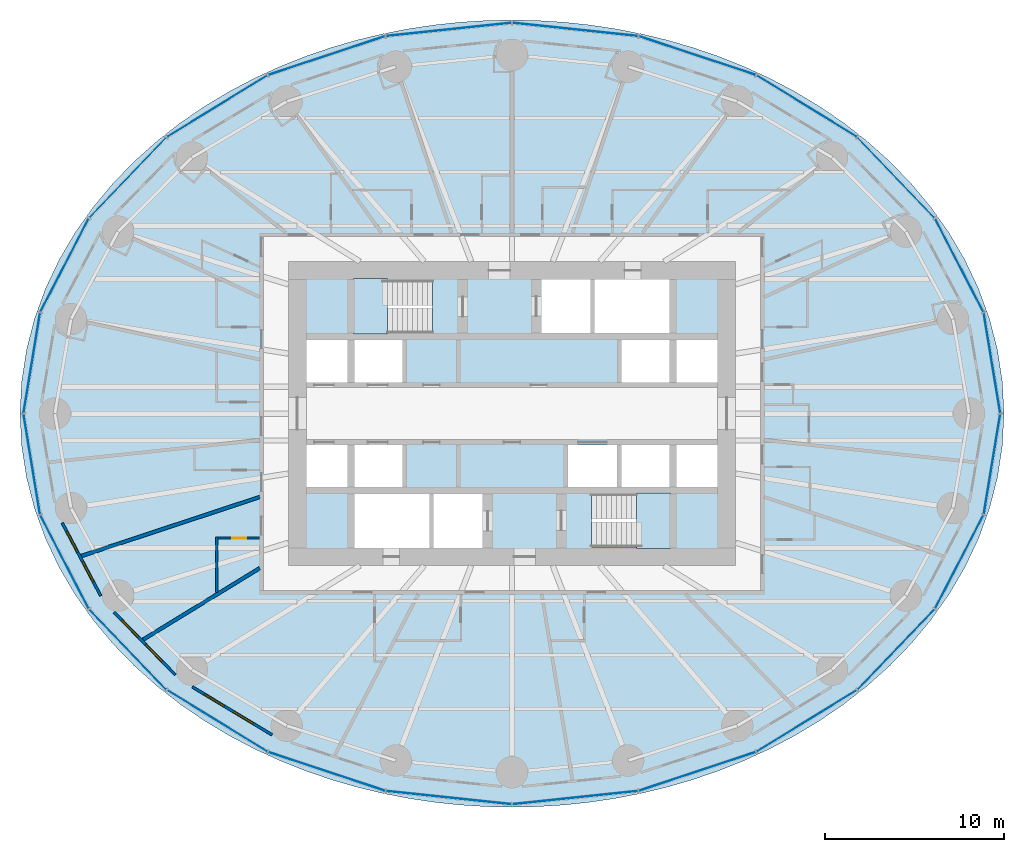
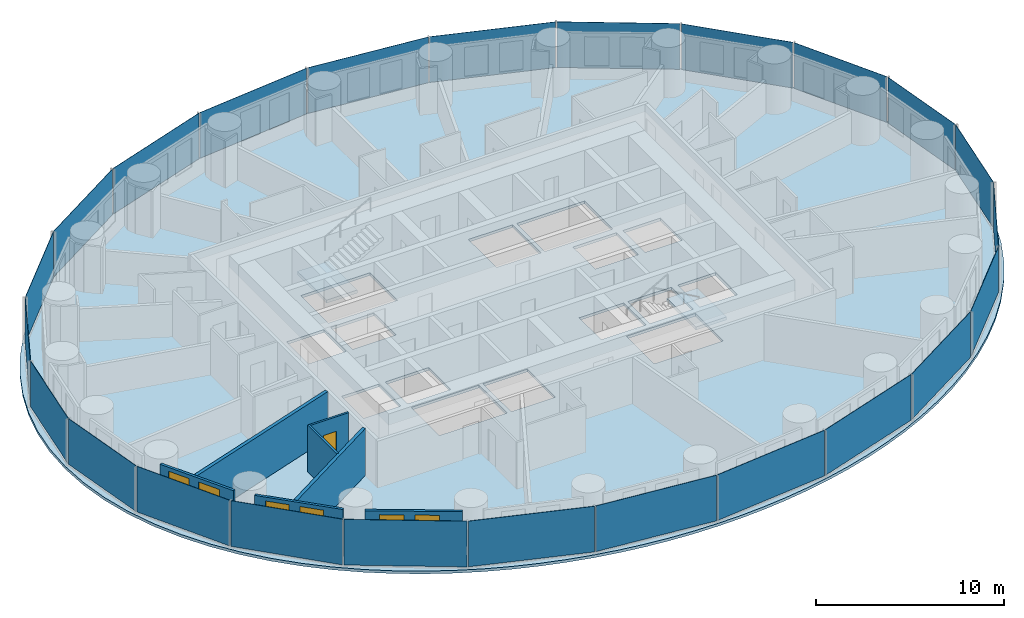
# One storey, part 5 of 13: 24 plates, 7 walls, 6 windows, 3 slabs, 1 door, 7 openings, 6 elements without a shape of their own.
"""IFC4 building model written with IfcOpenShell, lengths in metres."""

import ifcopenshell
import ifcopenshell.guid

model = None  # the IFC model being written
_history = None  # IfcOwnerHistory: only IFC2X3 demands one
_inside = {}  # id of a spatial element -> (the spatial element, [elements in it])
_under = {}  # id of a project, library or spatial element -> (it, [spatial elements below it])
_declared = {}  # id of a project -> (the project, [libraries it declares])
_typed = {}  # id of a type object -> (the type object, [elements of that type])
_made_of = {}  # id of a material, layer set ... -> (it, [elements and type objects made of it])


def new_model(schema):
    """Start an empty IFC model of exactly this schema.

    Asked for "IFC4X3", IfcOpenShell would pick the latest addendum, in which some entities
    have other attributes; the version numbers below select the first issue.
    IFC2X3 requires an IfcOwnerHistory on every rooted entity: one is made here for all.
    """
    global model, _history
    if schema == "IFC4X3":
        model = ifcopenshell.file(schema_version=(4, 3, 0, 0))
    else:
        model = ifcopenshell.file(schema=schema)
    _inside.clear()
    _under.clear()
    _declared.clear()
    _typed.clear()
    _made_of.clear()
    _history = None
    if model.schema == "IFC2X3":
        org = make("IfcOrganization", Name="unknown")
        user = make(
            "IfcPersonAndOrganization",
            ThePerson=make("IfcPerson", FamilyName="unknown"),
            TheOrganization=org,
        )
        app = make(
            "IfcApplication",
            ApplicationDeveloper=org,
            Version="unknown",
            ApplicationFullName="unknown",
            ApplicationIdentifier="unknown",
        )
        _history = make(
            "IfcOwnerHistory",
            OwningUser=user,
            OwningApplication=app,
            ChangeAction="ADDED",
            CreationDate=0,
        )
    return model


def make(cls, **values):
    """One entity of the class cls with the attributes given. An attribute that is None is left unset."""
    return model.create_entity(
        cls, **{name: value for name, value in values.items() if value is not None}
    )


def rooted(cls, **values):
    """An entity with a GlobalId (a new one), such as an element, a storey or a relation."""
    return make(cls, GlobalId=ifcopenshell.guid.new(), OwnerHistory=_history, **values)


def si_unit(unit_type, name, prefix=None):
    """IfcSIUnit, for example si_unit("LENGTHUNIT", "METRE", prefix="MILLI")."""
    return make("IfcSIUnit", UnitType=unit_type, Prefix=prefix, Name=name)


def assignment(units):
    """IfcUnitAssignment: the units of a project."""
    return None if units is None else make("IfcUnitAssignment", Units=units)


def point(xyz):
    """IfcCartesianPoint."""
    return None if xyz is None else make("IfcCartesianPoint", Coordinates=xyz)


def direction(xyz):
    """IfcDirection."""
    return None if xyz is None else make("IfcDirection", DirectionRatios=xyz)


def frame(location, z_axis=None, x_axis=None):
    """IfcAxis2Placement3D, a coordinate frame: its origin and axes. An axis left out is left unset."""
    return make(
        "IfcAxis2Placement3D",
        Location=point(location),
        Axis=direction(z_axis),
        RefDirection=direction(x_axis),
    )


def frame_2d(location, x_axis=None):
    """IfcAxis2Placement2D, a coordinate frame in the plane: its origin and x axis."""
    return make(
        "IfcAxis2Placement2D", Location=point(location), RefDirection=direction(x_axis)
    )


def origin():
    """The frame at (0, 0, 0) with its axes left unset."""
    return frame((0.0, 0.0, 0.0))


def origin_2d():
    """The frame at (0, 0) in the plane with its x axis left unset."""
    return frame_2d((0.0, 0.0))


def place(relative_to, where):
    """IfcLocalPlacement: puts the frame where relative to a parent placement (None: the world)."""
    return make(
        "IfcLocalPlacement", PlacementRelTo=relative_to, RelativePlacement=where
    )


def context(
    kind, dimensions, precision=None, world=None, true_north=None, identifier=None
):
    """IfcGeometricRepresentationContext, for example the 3D "Model" context."""
    return make(
        "IfcGeometricRepresentationContext",
        ContextIdentifier=identifier,
        ContextType=kind,
        CoordinateSpaceDimension=dimensions,
        Precision=precision,
        WorldCoordinateSystem=world,
        TrueNorth=true_north,
    )


def subcontext(parent, identifier, kind, view, scale=None):
    """IfcGeometricRepresentationSubContext, for example "Body" below "Model"."""
    return make(
        "IfcGeometricRepresentationSubContext",
        ContextIdentifier=identifier,
        ContextType=kind,
        ParentContext=parent,
        TargetScale=scale,
        TargetView=view,
    )


def project(units=None, contexts=None):
    """IfcProject with its units and contexts."""
    return rooted(
        "IfcProject",
        Name="project",
        RepresentationContexts=contexts,
        UnitsInContext=assignment(units),
    )


def spatial(cls, under=None, at=None, **own):
    """A site, building, storey or space (cls), placed at a placement, below another one or the project."""
    s = rooted(cls, ObjectPlacement=at, **own)
    if under is not None:
        _under.setdefault(under.id(), (under, []))[1].append(s)
    return s


def polyline(points):
    """IfcPolyline through the points."""
    return make("IfcPolyline", Points=[point(p) for p in points])


def profile(cls, at=None, kind="AREA", **sizes):
    """A parametric profile (cls). Its sizes go by their IFC names, for example OverallWidth=200.0."""
    return make(cls, ProfileType=kind, Position=at, **sizes)


def rectangle(**sizes):
    """IfcRectangleProfileDef."""
    return profile("IfcRectangleProfileDef", **sizes)


def outline(outer, holes=None, kind="AREA"):
    """IfcArbitraryClosedProfileDef: a profile drawn as a closed curve; with holes, ...WithVoids."""
    if holes is None:
        return make("IfcArbitraryClosedProfileDef", ProfileType=kind, OuterCurve=outer)
    return make(
        "IfcArbitraryProfileDefWithVoids",
        ProfileType=kind,
        OuterCurve=outer,
        InnerCurves=holes,
    )


def extrude(swept, where, along, depth):
    """IfcExtrudedAreaSolid: the profile swept, set in the frame where, extruded along a direction by depth."""
    return make(
        "IfcExtrudedAreaSolid",
        SweptArea=swept,
        Position=where,
        ExtrudedDirection=direction(along),
        Depth=depth,
    )


def shape(context_of_items, identifier, shape_type, items):
    """IfcShapeRepresentation: the items that make up one representation, for example the "Body"."""
    return make(
        "IfcShapeRepresentation",
        ContextOfItems=context_of_items,
        RepresentationIdentifier=identifier,
        RepresentationType=shape_type,
        Items=items,
    )


def material(Name=None, Category=None):
    """IfcMaterial."""
    return make("IfcMaterial", Name=Name, Category=Category)


def layer(
    of_material, thickness, ventilated=None, Name=None, Category=None, Priority=None
):
    """IfcMaterialLayer: one layer of a wall or slab, of a material (None: an air gap)."""
    return make(
        "IfcMaterialLayer",
        Material=of_material,
        LayerThickness=thickness,
        IsVentilated=ventilated,
        Name=Name,
        Category=Category,
        Priority=Priority,
    )


def layer_set(layers, Name=None):
    """IfcMaterialLayerSet."""
    return make("IfcMaterialLayerSet", MaterialLayers=layers, LayerSetName=Name)


def made_of(thing, what):
    """Note that an element or type object is made of a material, layer set ...; save() writes the relation."""
    if what is not None:
        _made_of.setdefault(what.id(), (what, []))[1].append(thing)
    return thing


def type_object(cls, material=None, **own):
    """A type object (cls), such as IfcWallType, which elements share."""
    return made_of(rooted(cls, **own), material)


def element(
    cls,
    number,
    at=None,
    inside=None,
    cuts=None,
    type_object=None,
    material=None,
    context=None,
    identifier="Body",
    shape_type=None,
    held_by="IfcProductDefinitionShape",
    body=None,
    shapes=None,
    **own,
):
    """One element of the class cls, such as IfcWall. Its Tag is "e" and its number.

    at: its placement. inside: the storey or other place that contains it. cuts: it is an
    opening in that element (IfcRelVoidsElement). A single representation is given by context,
    identifier, shape_type and body (its items); several are given by shapes. held_by: the class
    of the entity that holds the representations. save() writes the other relations.
    """
    e = rooted(cls, Tag="e%d" % number, ObjectPlacement=at, **own)
    if body is not None:
        shapes = [shape(context, identifier, shape_type, body)]
    if shapes is not None:
        e.Representation = make(held_by, Representations=shapes)
    if inside is not None:
        _inside.setdefault(inside.id(), (inside, []))[1].append(e)
    if cuts is not None:
        rooted(
            "IfcRelVoidsElement", RelatingBuildingElement=cuts, RelatedOpeningElement=e
        )
    if type_object is not None:
        _typed.setdefault(type_object.id(), (type_object, []))[1].append(e)
    return made_of(e, material)


def fill(opening, filler):
    """IfcRelFillsElement: the door or window that sits in an opening."""
    return rooted(
        "IfcRelFillsElement",
        RelatingOpeningElement=opening,
        RelatedBuildingElement=filler,
    )


def aggregate(whole, parts):
    """IfcRelAggregates: a whole, such as a stair, and the parts it consists of."""
    return rooted("IfcRelAggregates", RelatingObject=whole, RelatedObjects=parts)


def save(model, path):
    """Write the relations noted so far, then the file.

    IfcRelAggregates (storeys below a building ...), IfcRelContainedInSpatialStructure (elements
    in a storey), IfcRelDefinesByType, IfcRelAssociatesMaterial and IfcRelDeclares: one each for
    every whole, place, type object, material and project.
    """
    for whole, parts in _under.values():
        aggregate(whole, parts)
    for where, things in _inside.values():
        rooted(
            "IfcRelContainedInSpatialStructure",
            RelatedElements=things,
            RelatingStructure=where,
        )
    for kind, things in _typed.values():
        rooted("IfcRelDefinesByType", RelatedObjects=things, RelatingType=kind)
    for what, things in _made_of.values():
        rooted("IfcRelAssociatesMaterial", RelatedObjects=things, RelatingMaterial=what)
    for by, libraries in _declared.values():
        rooted("IfcRelDeclares", RelatingContext=by, RelatedDefinitions=libraries)
    model.write(path)


model = new_model("IFC4")

# Units and contexts
model_context = context("Model", 3, precision=1e-05, world=origin(), true_north=direction((0.0, 1.0)))
body_context = subcontext(model_context, "Body", "Model", "MODEL_VIEW")
ifc_project = project(units=[si_unit("LENGTHUNIT", "METRE"), si_unit("AREAUNIT", "SQUARE_METRE"), si_unit("VOLUMEUNIT", "CUBIC_METRE"), si_unit("PLANEANGLEUNIT", "RADIAN"), si_unit("MASSUNIT", "GRAM", prefix="KILO")], contexts=[model_context])

# Site, building, storey
site_placement = place(None, origin())
site = spatial("IfcSite", under=ifc_project, at=site_placement, CompositionType="ELEMENT")
building_placement = place(site_placement, origin())
building = spatial("IfcBuilding", under=site, at=building_placement, Name="Hankou Lantern Tower", CompositionType="ELEMENT")
storey_placement = place(building_placement, frame((0.0, 0.0, 42.60009765625)))
storey = spatial("IfcBuildingStorey", under=building, at=storey_placement, Name="L09", CompositionType="ELEMENT", Elevation=42.60009765625)

# Curtain wall, plates
ifc_material_1 = material(Name="Glass, dark grey tinted laminated", Category="glass")
curtain_wall_type = type_object("IfcCurtainWallType", Name="CWA OUTER SKIN LOW-RISE", PredefinedType="USERDEFINED", material=ifc_material_1)
curtain_wall_1_placement = place(storey_placement, origin())
curtain_wall_1 = element("IfcCurtainWall", 1, at=curtain_wall_1_placement, inside=storey, type_object=curtain_wall_type, Name="CWA L09 OS1", ObjectType="OUTER SKIN LOW-RISE", PredefinedType="USERDEFINED")
ifc_material_2 = material(Name="Glass, dark grey tinted laminated", Category="glass")
ifc_layer_1 = layer(ifc_material_2, 0.02392578125)
ifc_layer_set_1 = layer_set([ifc_layer_1], Name="Glass, dark grey tinted laminated")
plate_type = type_object("IfcPlateType", Name="PN1 OUTER SKIN GLASS PANEL", PredefinedType="CURTAIN_PANEL", material=ifc_layer_set_1)
plate_1_placement = place(storey_placement, frame((26.8349609375, 2.826416015625, 0.080078125), z_axis=(0.0, 0.0, 1.0), x_axis=(-0.162381515188, 0.986728049427, 0.0)))
plate_1 = element("IfcPlate", 2, at=plate_1_placement, type_object=plate_type, Name="CWA glass panel 1", PredefinedType="CURTAIN_PANEL", context=body_context, shape_type="SweptSolid", body=[
    extrude(rectangle(XDim=5.648681640625, YDim=0.02392578125, at=origin_2d()), origin(), (0.0, 0.0, 1.0), 2.969970703125),
])
plate_2_placement = place(storey_placement, frame((25.006103515625, 8.286376953125, 0.080078125), z_axis=(0.0, 0.0, 1.0), x_axis=(-0.459791091957, 0.888027112062, 0.0)))
plate_2 = element("IfcPlate", 3, at=plate_2_placement, type_object=plate_type, Name="CWA glass panel 2", PredefinedType="CURTAIN_PANEL", context=body_context, shape_type="SweptSolid", body=[
    extrude(rectangle(XDim=5.8515625, YDim=0.02392578125, at=origin_2d()), origin(), (0.0, 0.0, 1.0), 2.969970703125),
])
plate_3_placement = place(storey_placement, frame((21.47314453125, 13.181640625, 0.080078125), z_axis=(0.0, 0.0, 1.0), x_axis=(-0.692215809936, 0.721690565599, 0.0)))
plate_3 = element("IfcPlate", 4, at=plate_3_placement, type_object=plate_type, Name="CWA glass panel 3", PredefinedType="CURTAIN_PANEL", context=body_context, shape_type="SweptSolid", body=[
    extrude(rectangle(XDim=6.1875, YDim=0.02392578125, at=origin_2d()), origin(), (0.0, 0.0, 1.0), 2.969970703125),
])
plate_4_placement = place(storey_placement, frame((16.47705078125, 17.1787109375, 0.080078125), z_axis=(0.0, 0.0, 1.0), x_axis=(-0.852237151549, 0.523155653242, 0.0)))
plate_4 = element("IfcPlate", 5, at=plate_4_placement, type_object=plate_type, Name="CWA glass panel 4", PredefinedType="CURTAIN_PANEL", context=body_context, shape_type="SweptSolid", body=[
    extrude(rectangle(XDim=6.554443359375, YDim=0.02392578125, at=origin_2d()), origin(), (0.0, 0.0, 1.0), 2.969970703125),
])
plate_5_placement = place(storey_placement, frame((10.35791015625, 20.0048828125, 0.080078125), z_axis=(0.0, 0.0, 1.0), x_axis=(-0.949240677293, 0.31455068999, 0.0)))
plate_5 = element("IfcPlate", 6, at=plate_5_placement, type_object=plate_type, Name="CWA glass panel 5", PredefinedType="CURTAIN_PANEL", context=body_context, shape_type="SweptSolid", body=[
    extrude(rectangle(XDim=6.856201171875, YDim=0.02392578125, at=origin_2d()), origin(), (0.0, 0.0, 1.0), 2.969970703125),
])
plate_6_placement = place(storey_placement, frame((3.532958984375, 21.468017578125, 0.080078125), z_axis=(0.0, 0.0, 1.0), x_axis=(-0.994499359107, 0.104742659579, 0.0)))
plate_6 = element("IfcPlate", 7, at=plate_6_placement, type_object=plate_type, Name="CWA glass panel 6", PredefinedType="CURTAIN_PANEL", context=body_context, shape_type="SweptSolid", body=[
    extrude(rectangle(XDim=7.02490234375, YDim=0.02392578125, at=origin_2d()), origin(), (0.0, 0.0, 1.0), 2.969970703125),
])
aggregate(curtain_wall_1, [plate_1, plate_2, plate_3, plate_4, plate_5, plate_6])

curtain_wall_2_placement = place(storey_placement, origin())
curtain_wall_2 = element("IfcCurtainWall", 8, at=curtain_wall_2_placement, inside=storey, type_object=curtain_wall_type, Name="CWA L09 OS2", ObjectType="OUTER SKIN LOW-RISE", PredefinedType="USERDEFINED")
plate_7_placement = place(storey_placement, frame((-3.532958984375, 21.468017578125, 0.080078125), z_axis=(0.0, 0.0, 1.0), x_axis=(-0.994499359107, -0.104742659579, 0.0)))
plate_7 = element("IfcPlate", 9, at=plate_7_placement, type_object=plate_type, Name="CWA glass panel 1", PredefinedType="CURTAIN_PANEL", context=body_context, shape_type="SweptSolid", body=[
    extrude(rectangle(XDim=7.02490234375, YDim=0.02392578125, at=origin_2d()), origin(), (0.0, 0.0, 1.0), 2.969970703125),
])
plate_8_placement = place(storey_placement, frame((-10.35791015625, 20.0048828125, 0.080078125), z_axis=(0.0, 0.0, 1.0), x_axis=(-0.949240677293, -0.31455068999, 0.0)))
plate_8 = element("IfcPlate", 10, at=plate_8_placement, type_object=plate_type, Name="CWA glass panel 2", PredefinedType="CURTAIN_PANEL", context=body_context, shape_type="SweptSolid", body=[
    extrude(rectangle(XDim=6.856201171875, YDim=0.02392578125, at=origin_2d()), origin(), (0.0, 0.0, 1.0), 2.969970703125),
])
plate_9_placement = place(storey_placement, frame((-16.47705078125, 17.1787109375, 0.080078125), z_axis=(0.0, 0.0, 1.0), x_axis=(-0.852237151549, -0.523155653242, 0.0)))
plate_9 = element("IfcPlate", 11, at=plate_9_placement, type_object=plate_type, Name="CWA glass panel 3", PredefinedType="CURTAIN_PANEL", context=body_context, shape_type="SweptSolid", body=[
    extrude(rectangle(XDim=6.554443359375, YDim=0.02392578125, at=origin_2d()), origin(), (0.0, 0.0, 1.0), 2.969970703125),
])
plate_10_placement = place(storey_placement, frame((-21.47314453125, 13.181640625, 0.080078125), z_axis=(0.0, 0.0, 1.0), x_axis=(-0.692215809936, -0.721690565599, 0.0)))
plate_10 = element("IfcPlate", 12, at=plate_10_placement, type_object=plate_type, Name="CWA glass panel 4", PredefinedType="CURTAIN_PANEL", context=body_context, shape_type="SweptSolid", body=[
    extrude(rectangle(XDim=6.1875, YDim=0.02392578125, at=origin_2d()), origin(), (0.0, 0.0, 1.0), 2.969970703125),
])
plate_11_placement = place(storey_placement, frame((-25.006103515625, 8.286376953125, 0.080078125), z_axis=(0.0, 0.0, 1.0), x_axis=(-0.459791091957, -0.888027112062, 0.0)))
plate_11 = element("IfcPlate", 13, at=plate_11_placement, type_object=plate_type, Name="CWA glass panel 5", PredefinedType="CURTAIN_PANEL", context=body_context, shape_type="SweptSolid", body=[
    extrude(rectangle(XDim=5.8515625, YDim=0.02392578125, at=origin_2d()), origin(), (0.0, 0.0, 1.0), 2.969970703125),
])
plate_12_placement = place(storey_placement, frame((-26.8349609375, 2.826416015625, 0.080078125), z_axis=(0.0, 0.0, 1.0), x_axis=(-0.162381515188, -0.986728049427, 0.0)))
plate_12 = element("IfcPlate", 14, at=plate_12_placement, type_object=plate_type, Name="CWA glass panel 6", PredefinedType="CURTAIN_PANEL", context=body_context, shape_type="SweptSolid", body=[
    extrude(rectangle(XDim=5.648681640625, YDim=0.02392578125, at=origin_2d()), origin(), (0.0, 0.0, 1.0), 2.969970703125),
])
aggregate(curtain_wall_2, [plate_7, plate_8, plate_9, plate_10, plate_11, plate_12])

curtain_wall_3_placement = place(storey_placement, origin())
curtain_wall_3 = element("IfcCurtainWall", 15, at=curtain_wall_3_placement, inside=storey, type_object=curtain_wall_type, Name="CWA L09 OS3", ObjectType="OUTER SKIN LOW-RISE", PredefinedType="USERDEFINED")
plate_13_placement = place(storey_placement, frame((-26.8349609375, -2.826416015625, 0.080078125), z_axis=(0.0, 0.0, 1.0), x_axis=(0.162381515188, -0.986728049427, 0.0)))
plate_13 = element("IfcPlate", 16, at=plate_13_placement, type_object=plate_type, Name="CWA glass panel 1", PredefinedType="CURTAIN_PANEL", context=body_context, shape_type="SweptSolid", body=[
    extrude(rectangle(XDim=5.648681640625, YDim=0.02392578125, at=origin_2d()), origin(), (0.0, 0.0, 1.0), 2.969970703125),
])
plate_14_placement = place(storey_placement, frame((-25.006103515625, -8.286376953125, 0.080078125), z_axis=(0.0, 0.0, 1.0), x_axis=(0.459791091957, -0.888027112062, 0.0)))
plate_14 = element("IfcPlate", 17, at=plate_14_placement, type_object=plate_type, Name="CWA glass panel 2", PredefinedType="CURTAIN_PANEL", context=body_context, shape_type="SweptSolid", body=[
    extrude(rectangle(XDim=5.8515625, YDim=0.02392578125, at=origin_2d()), origin(), (0.0, 0.0, 1.0), 2.969970703125),
])
plate_15_placement = place(storey_placement, frame((-21.47314453125, -13.181640625, 0.080078125), z_axis=(0.0, 0.0, 1.0), x_axis=(0.692215809936, -0.721690565599, 0.0)))
plate_15 = element("IfcPlate", 18, at=plate_15_placement, type_object=plate_type, Name="CWA glass panel 3", PredefinedType="CURTAIN_PANEL", context=body_context, shape_type="SweptSolid", body=[
    extrude(rectangle(XDim=6.1875, YDim=0.02392578125, at=origin_2d()), origin(), (0.0, 0.0, 1.0), 2.969970703125),
])
plate_16_placement = place(storey_placement, frame((-16.47705078125, -17.1787109375, 0.080078125), z_axis=(0.0, 0.0, 1.0), x_axis=(0.852237151549, -0.523155653242, 0.0)))
plate_16 = element("IfcPlate", 19, at=plate_16_placement, type_object=plate_type, Name="CWA glass panel 4", PredefinedType="CURTAIN_PANEL", context=body_context, shape_type="SweptSolid", body=[
    extrude(rectangle(XDim=6.554443359375, YDim=0.02392578125, at=origin_2d()), origin(), (0.0, 0.0, 1.0), 2.969970703125),
])
plate_17_placement = place(storey_placement, frame((-10.35791015625, -20.0048828125, 0.080078125), z_axis=(0.0, 0.0, 1.0), x_axis=(0.949240677293, -0.31455068999, 0.0)))
plate_17 = element("IfcPlate", 20, at=plate_17_placement, type_object=plate_type, Name="CWA glass panel 5", PredefinedType="CURTAIN_PANEL", context=body_context, shape_type="SweptSolid", body=[
    extrude(rectangle(XDim=6.856201171875, YDim=0.02392578125, at=origin_2d()), origin(), (0.0, 0.0, 1.0), 2.969970703125),
])
plate_18_placement = place(storey_placement, frame((-3.532958984375, -21.468017578125, 0.080078125), z_axis=(0.0, 0.0, 1.0), x_axis=(0.994499359107, -0.104742659579, 0.0)))
plate_18 = element("IfcPlate", 21, at=plate_18_placement, type_object=plate_type, Name="CWA glass panel 6", PredefinedType="CURTAIN_PANEL", context=body_context, shape_type="SweptSolid", body=[
    extrude(rectangle(XDim=7.02490234375, YDim=0.02392578125, at=origin_2d()), origin(), (0.0, 0.0, 1.0), 2.969970703125),
])
aggregate(curtain_wall_3, [plate_13, plate_14, plate_15, plate_16, plate_17, plate_18])

curtain_wall_4_placement = place(storey_placement, origin())
curtain_wall_4 = element("IfcCurtainWall", 22, at=curtain_wall_4_placement, inside=storey, type_object=curtain_wall_type, Name="CWA L09 OS4", ObjectType="OUTER SKIN LOW-RISE", PredefinedType="USERDEFINED")
plate_19_placement = place(storey_placement, frame((3.532958984375, -21.468017578125, 0.080078125), z_axis=(0.0, 0.0, 1.0), x_axis=(0.994499359107, 0.104742659579, 0.0)))
plate_19 = element("IfcPlate", 23, at=plate_19_placement, type_object=plate_type, Name="CWA glass panel 1", PredefinedType="CURTAIN_PANEL", context=body_context, shape_type="SweptSolid", body=[
    extrude(rectangle(XDim=7.02490234375, YDim=0.02392578125, at=origin_2d()), origin(), (0.0, 0.0, 1.0), 2.969970703125),
])
plate_20_placement = place(storey_placement, frame((10.35791015625, -20.0048828125, 0.080078125), z_axis=(0.0, 0.0, 1.0), x_axis=(0.949240677293, 0.31455068999, 0.0)))
plate_20 = element("IfcPlate", 24, at=plate_20_placement, type_object=plate_type, Name="CWA glass panel 2", PredefinedType="CURTAIN_PANEL", context=body_context, shape_type="SweptSolid", body=[
    extrude(rectangle(XDim=6.856201171875, YDim=0.02392578125, at=origin_2d()), origin(), (0.0, 0.0, 1.0), 2.969970703125),
])
plate_21_placement = place(storey_placement, frame((16.47705078125, -17.1787109375, 0.080078125), z_axis=(0.0, 0.0, 1.0), x_axis=(0.852237151549, 0.523155653242, 0.0)))
plate_21 = element("IfcPlate", 25, at=plate_21_placement, type_object=plate_type, Name="CWA glass panel 3", PredefinedType="CURTAIN_PANEL", context=body_context, shape_type="SweptSolid", body=[
    extrude(rectangle(XDim=6.554443359375, YDim=0.02392578125, at=origin_2d()), origin(), (0.0, 0.0, 1.0), 2.969970703125),
])
plate_22_placement = place(storey_placement, frame((21.47314453125, -13.181640625, 0.080078125), z_axis=(0.0, 0.0, 1.0), x_axis=(0.692215809936, 0.721690565599, 0.0)))
plate_22 = element("IfcPlate", 26, at=plate_22_placement, type_object=plate_type, Name="CWA glass panel 4", PredefinedType="CURTAIN_PANEL", context=body_context, shape_type="SweptSolid", body=[
    extrude(rectangle(XDim=6.1875, YDim=0.02392578125, at=origin_2d()), origin(), (0.0, 0.0, 1.0), 2.969970703125),
])
plate_23_placement = place(storey_placement, frame((25.006103515625, -8.286376953125, 0.080078125), z_axis=(0.0, 0.0, 1.0), x_axis=(0.459791091957, 0.888027112062, 0.0)))
plate_23 = element("IfcPlate", 27, at=plate_23_placement, type_object=plate_type, Name="CWA glass panel 5", PredefinedType="CURTAIN_PANEL", context=body_context, shape_type="SweptSolid", body=[
    extrude(rectangle(XDim=5.8515625, YDim=0.02392578125, at=origin_2d()), origin(), (0.0, 0.0, 1.0), 2.969970703125),
])
plate_24_placement = place(storey_placement, frame((26.8349609375, -2.826416015625, 0.080078125), z_axis=(0.0, 0.0, 1.0), x_axis=(0.162381515188, 0.986728049427, 0.0)))
plate_24 = element("IfcPlate", 28, at=plate_24_placement, type_object=plate_type, Name="CWA glass panel 6", PredefinedType="CURTAIN_PANEL", context=body_context, shape_type="SweptSolid", body=[
    extrude(rectangle(XDim=5.648681640625, YDim=0.02392578125, at=origin_2d()), origin(), (0.0, 0.0, 1.0), 2.969970703125),
])
aggregate(curtain_wall_4, [plate_19, plate_20, plate_21, plate_22, plate_23, plate_24])

# Slab
ifc_material_3 = material(Name="Concrete C50", Category="concrete")
ifc_layer_2 = layer(ifc_material_3, 0.179931640625)
ifc_layer_set_2 = layer_set([ifc_layer_2], Name="Concrete C50")
slab_type_1 = type_object("IfcSlabType", Name="S1 CONCRETE FLOOR SLAB 180", PredefinedType="FLOOR", material=ifc_layer_set_2)
slab_1_placement = place(storey_placement, frame((0.0, 0.0, -0.18017578125)))
element("IfcSlab", 29, at=slab_1_placement, inside=storey, type_object=slab_type_1, Name="Floor slab L09", PredefinedType="FLOOR", context=body_context, shape_type="SweptSolid", body=[
    extrude(outline(polyline([(27.5, 0.0), (27.408203125, 1.79638671875), (27.135009765625, 3.572509765625), (26.6875, 5.308349609375), (26.076171875, 6.987060546875), (25.3154296875, 8.593505859375), (24.420654296875, 10.115478515625), (23.40966796875, 11.54443359375), (22.29931640625, 12.87451171875), (21.1064453125, 14.102783203125), (19.846435546875, 15.228759765625), (18.533447265625, 16.25341796875), (17.17919921875, 17.17919921875), (15.794189453125, 18.009765625), (14.38671875, 18.749267578125), (12.964111328125, 19.402099609375), (11.53125, 19.972412109375), (10.09228515625, 20.46484375), (8.650146484375, 20.88330078125), (7.20703125, 21.23095703125), (5.763916015625, 21.51123046875), (4.32177734375, 21.7265625), (2.88037109375, 21.87890625), (1.43994140625, 21.9697265625), (0.0, 22.0), (-1.43994140625, 21.9697265625), (-2.88037109375, 21.87890625), (-4.32177734375, 21.7265625), (-5.763916015625, 21.51123046875), (-7.20703125, 21.23095703125), (-8.650146484375, 20.88330078125), (-10.09228515625, 20.46484375), (-11.53125, 19.972412109375), (-12.964111328125, 19.402099609375), (-14.38671875, 18.749267578125), (-15.794189453125, 18.009765625), (-17.17919921875, 17.17919921875), (-18.533447265625, 16.25341796875), (-19.846435546875, 15.228759765625), (-21.1064453125, 14.102783203125), (-22.29931640625, 12.87451171875), (-23.40966796875, 11.54443359375), (-24.420654296875, 10.115478515625), (-25.3154296875, 8.593505859375), (-26.076171875, 6.987060546875), (-26.6875, 5.308349609375), (-27.135009765625, 3.572509765625), (-27.408203125, 1.79638671875), (-27.5, 0.0), (-27.408203125, -1.79638671875), (-27.135009765625, -3.572509765625), (-26.6875, -5.308349609375), (-26.076171875, -6.987060546875), (-25.3154296875, -8.593505859375), (-24.420654296875, -10.115478515625), (-23.40966796875, -11.54443359375), (-22.29931640625, -12.87451171875), (-21.1064453125, -14.102783203125), (-19.846435546875, -15.228759765625), (-18.533447265625, -16.25341796875), (-17.17919921875, -17.17919921875), (-15.794189453125, -18.009765625), (-14.38671875, -18.749267578125), (-12.964111328125, -19.402099609375), (-11.53125, -19.972412109375), (-10.09228515625, -20.46484375), (-8.650146484375, -20.88330078125), (-7.20703125, -21.23095703125), (-5.763916015625, -21.51123046875), (-4.32177734375, -21.7265625), (-2.88037109375, -21.87890625), (-1.43994140625, -21.9697265625), (0.0, -22.0), (1.43994140625, -21.9697265625), (2.88037109375, -21.87890625), (4.32177734375, -21.7265625), (5.763916015625, -21.51123046875), (7.20703125, -21.23095703125), (8.650146484375, -20.88330078125), (10.09228515625, -20.46484375), (11.53125, -19.972412109375), (12.964111328125, -19.402099609375), (14.38671875, -18.749267578125), (15.794189453125, -18.009765625), (17.17919921875, -17.17919921875), (18.533447265625, -16.25341796875), (19.846435546875, -15.228759765625), (21.1064453125, -14.102783203125), (22.29931640625, -12.87451171875), (23.40966796875, -11.54443359375), (24.420654296875, -10.115478515625), (25.3154296875, -8.593505859375), (26.076171875, -6.987060546875), (26.6875, -5.308349609375), (27.135009765625, -3.572509765625), (27.408203125, -1.79638671875), (27.5, 0.0)]), holes=[polyline([(-11.5, 4.10009765625), (-9.199951171875, 4.10009765625), (-9.199951171875, 1.75), (-11.5, 1.75), (-11.5, 4.10009765625)]), polyline([(-8.800048828125, 4.10009765625), (-6.125, 4.10009765625), (-6.125, 1.75), (-8.800048828125, 1.75), (-8.800048828125, 4.10009765625)]), polyline([(6.125, 4.10009765625), (8.800048828125, 4.10009765625), (8.800048828125, 1.75), (6.125, 1.75), (6.125, 4.10009765625)]), polyline([(9.199951171875, 4.10009765625), (11.5, 4.10009765625), (11.5, 1.75), (9.199951171875, 1.75), (9.199951171875, 4.10009765625)]), polyline([(-11.5, -1.75), (-9.199951171875, -1.75), (-9.199951171875, -4.10009765625), (-11.5, -4.10009765625), (-11.5, -1.75)]), polyline([(-8.800048828125, -1.75), (-6.125, -1.75), (-6.125, -4.10009765625), (-8.800048828125, -4.10009765625), (-8.800048828125, -1.75)]), polyline([(3.125, -1.75), (5.875, -1.75), (5.875, -4.10009765625), (3.125, -4.10009765625), (3.125, -1.75)]), polyline([(6.125, -1.75), (8.800048828125, -1.75), (8.800048828125, -4.10009765625), (6.125, -4.10009765625), (6.125, -1.75)]), polyline([(9.199951171875, -1.75), (11.5, -1.75), (11.5, -4.10009765625), (9.199951171875, -4.10009765625), (9.199951171875, -1.75)]), polyline([(1.64990234375, 7.5), (4.375, 7.5), (4.375, 4.5), (1.64990234375, 4.5), (1.64990234375, 7.5)]), polyline([(-4.375, -4.5), (-1.64990234375, -4.5), (-1.64990234375, -7.5), (-4.375, -7.5), (-4.375, -4.5)]), polyline([(-8.699951171875, 7.449951171875), (-4.449951171875, 7.449951171875), (-4.449951171875, 4.5), (-8.699951171875, 4.5), (-8.699951171875, 7.449951171875)]), polyline([(4.449951171875, -4.5), (8.699951171875, -4.5), (8.699951171875, -7.449951171875), (4.449951171875, -7.449951171875), (4.449951171875, -4.5)]), polyline([(4.625, 7.5), (8.800048828125, 7.5), (8.800048828125, 4.5), (4.625, 4.5), (4.625, 7.5)]), polyline([(-8.800048828125, -4.5), (-4.625, -4.5), (-4.625, -7.5), (-8.800048828125, -7.5), (-8.800048828125, -4.5)])]), origin(), (0.0, 0.0, 1.0), 0.18017578125),
])

# Stair, slab
ifc_material_4 = material(Name="Concrete C40", Category="concrete")
stair_type = type_object("IfcStairType", Name="ST33 CORE STAIR 3300 RISE", PredefinedType="HALF_TURN_STAIR", material=ifc_material_4)
stair_1_placement = place(storey_placement, origin())
stair_1 = element("IfcStair", 30, at=stair_1_placement, inside=storey, type_object=stair_type, Name="Stair STA L09", PredefinedType="HALF_TURN_STAIR")
ifc_material_5 = material(Name="Concrete C40", Category="concrete")
ifc_layer_3 = layer(ifc_material_5, 0.199951171875)
ifc_layer_set_3 = layer_set([ifc_layer_3], Name="Concrete C40")
slab_type_2 = type_object("IfcSlabType", Name="SL1 STAIR LANDING 200", PredefinedType="LANDING", material=ifc_layer_set_3)
slab_2_placement = place(storey_placement, frame((0.0, 0.0, 1.371337890625)))
slab_2 = element("IfcSlab", 31, at=slab_2_placement, type_object=slab_type_2, Name="STA landing 1", PredefinedType="LANDING", context=body_context, shape_type="SweptSolid", body=[
    extrude(outline(polyline([(-8.85009765625, 4.449951171875), (-6.949951171875, 4.449951171875), (-6.949951171875, 7.550048828125), (-8.85009765625, 7.550048828125), (-8.85009765625, 4.449951171875)])), origin(), (0.0, 0.0, 1.0), 0.199951171875),
])
aggregate(stair_1, [slab_2])

stair_2_placement = place(storey_placement, origin())
stair_2 = element("IfcStair", 32, at=stair_2_placement, inside=storey, type_object=stair_type, Name="Stair STB L09", PredefinedType="HALF_TURN_STAIR")
slab_3_placement = place(storey_placement, frame((0.0, 0.0, 1.371337890625)))
slab_3 = element("IfcSlab", 33, at=slab_3_placement, type_object=slab_type_2, Name="STB landing 1", PredefinedType="LANDING", context=body_context, shape_type="SweptSolid", body=[
    extrude(outline(polyline([(8.85009765625, -4.449951171875), (6.949951171875, -4.449951171875), (6.949951171875, -7.550048828125), (8.85009765625, -7.550048828125), (8.85009765625, -4.449951171875)])), origin(), (0.0, 0.0, 1.0), 0.199951171875),
])
aggregate(stair_2, [slab_3])

# Wall, openings, windows
ifc_material_6 = material(Name="Aluminium spandrel panel on steel studs", Category="steel")
ifc_layer_4 = layer(ifc_material_6, 0.14990234375)
ifc_layer_set_4 = layer_set([ifc_layer_4], Name="Aluminium spandrel panel on steel studs")
wall_type_1 = type_object("IfcWallType", Name="EW1 INNER SKIN WALL 150", PredefinedType="ELEMENTEDWALL", material=ifc_layer_set_4)
wall_1_placement = place(storey_placement, frame((-25.138671875, -6.11279296875, 0.0), z_axis=(0.0, 0.0, 1.0), x_axis=(0.467303182954, -0.884097129959, 0.0)))
wall_1 = element("IfcWall", 34, at=wall_1_placement, inside=storey, type_object=wall_type_1, Name="Inner skin R14-R15 L09", PredefinedType="ELEMENTEDWALL", context=body_context, shape_type="SweptSolid", body=[
    extrude(rectangle(XDim=4.6064453125, YDim=0.14990234375, at=frame_2d((2.30322265625, 0.0))), origin(), (0.0, 0.0, 1.0), 3.0498046875),
])
opening_1_placement = place(wall_1_placement, frame((0.531494140625, 0.0, 0.89990234375)))
opening_1 = element("IfcOpeningElement", 35, at=opening_1_placement, cuts=wall_1, Name="Opening W9", PredefinedType="OPENING", context=body_context, shape_type="SweptSolid", body=[
    extrude(rectangle(XDim=1.300048828125, YDim=1.89990234375, at=frame_2d((0.64990234375, 0.949951171875))), frame((0.0, 0.0849609375, 0.0), z_axis=(0.0, -1.0, 0.0), x_axis=(1.0, 0.0, 0.0)), (0.0, 0.0, 1.0), 0.169921875),
])
opening_2_placement = place(wall_1_placement, frame((2.431640625, 0.0, 0.89990234375)))
opening_2 = element("IfcOpeningElement", 36, at=opening_2_placement, cuts=wall_1, Name="Opening W9", PredefinedType="OPENING", context=body_context, shape_type="SweptSolid", body=[
    extrude(rectangle(XDim=1.300048828125, YDim=1.89990234375, at=frame_2d((0.64990234375, 0.949951171875))), frame((0.0, 0.0849609375, 0.0), z_axis=(0.0, -1.0, 0.0), x_axis=(1.0, 0.0, 0.0)), (0.0, 0.0, 1.0), 0.169921875),
])
ifc_material_7 = material(Name="Aluminium framed double glazed window", Category="aluminium")
window_type = type_object("IfcWindowType", Name="W9 GUEST ROOM WINDOW 1300X1900", PartitioningType="DOUBLE_PANEL_VERTICAL", PredefinedType="WINDOW", material=ifc_material_7)
window_1_placement = place(opening_1_placement, origin())
window_1 = element("IfcWindow", 37, at=window_1_placement, inside=storey, type_object=window_type, Name="Window R14.1 L09", OverallHeight=1.89990234375, OverallWidth=1.300048828125, PartitioningType="SINGLE_PANEL", PredefinedType="WINDOW", context=body_context, shape_type="SweptSolid", body=[
    extrude(rectangle(XDim=1.300048828125, YDim=1.89990234375, at=frame_2d((0.64990234375, 0.949951171875))), frame((0.0, 0.030029296875, 0.0), z_axis=(0.0, -1.0, 0.0), x_axis=(1.0, 0.0, 0.0)), (0.0, 0.0, 1.0), 0.06005859375),
])
fill(opening_1, window_1)
window_2_placement = place(opening_2_placement, origin())
window_2 = element("IfcWindow", 38, at=window_2_placement, inside=storey, type_object=window_type, Name="Window R14.2 L09", OverallHeight=1.89990234375, OverallWidth=1.300048828125, PartitioningType="SINGLE_PANEL", PredefinedType="WINDOW", context=body_context, shape_type="SweptSolid", body=[
    extrude(rectangle(XDim=1.300048828125, YDim=1.89990234375, at=frame_2d((0.64990234375, 0.949951171875))), frame((0.0, 0.030029296875, 0.0), z_axis=(0.0, -1.0, 0.0), x_axis=(1.0, 0.0, 0.0)), (0.0, 0.0, 1.0), 0.06005859375),
])
fill(opening_2, window_2)

wall_2_placement = place(storey_placement, frame((-22.23876953125, -11.1083984375, 0.0), z_axis=(0.0, 0.0, 1.0), x_axis=(0.699612594083, -0.714522370679, 0.0)))
wall_2 = element("IfcWall", 39, at=wall_2_placement, inside=storey, type_object=wall_type_1, Name="Inner skin R15-R16 L09", PredefinedType="ELEMENTEDWALL", context=body_context, shape_type="SweptSolid", body=[
    extrude(rectangle(XDim=4.89599609375, YDim=0.14990234375, at=frame_2d((2.447998046875, 0.0))), origin(), (0.0, 0.0, 1.0), 3.0498046875),
])
opening_3_placement = place(wall_2_placement, frame((0.619140625, 0.0, 0.89990234375)))
opening_3 = element("IfcOpeningElement", 40, at=opening_3_placement, cuts=wall_2, Name="Opening W9", PredefinedType="OPENING", context=body_context, shape_type="SweptSolid", body=[
    extrude(rectangle(XDim=1.300048828125, YDim=1.89990234375, at=frame_2d((0.64990234375, 0.949951171875))), frame((0.0, 0.0849609375, 0.0), z_axis=(0.0, -1.0, 0.0), x_axis=(1.0, 0.0, 0.0)), (0.0, 0.0, 1.0), 0.169921875),
])
opening_4_placement = place(wall_2_placement, frame((2.51904296875, 0.0, 0.89990234375)))
opening_4 = element("IfcOpeningElement", 41, at=opening_4_placement, cuts=wall_2, Name="Opening W9", PredefinedType="OPENING", context=body_context, shape_type="SweptSolid", body=[
    extrude(rectangle(XDim=1.300048828125, YDim=1.89990234375, at=frame_2d((0.64990234375, 0.949951171875))), frame((0.0, 0.0849609375, 0.0), z_axis=(0.0, -1.0, 0.0), x_axis=(1.0, 0.0, 0.0)), (0.0, 0.0, 1.0), 0.169921875),
])
window_3_placement = place(opening_3_placement, origin())
window_3 = element("IfcWindow", 42, at=window_3_placement, inside=storey, type_object=window_type, Name="Window R15.1 L09", OverallHeight=1.89990234375, OverallWidth=1.300048828125, PartitioningType="SINGLE_PANEL", PredefinedType="WINDOW", context=body_context, shape_type="SweptSolid", body=[
    extrude(rectangle(XDim=1.300048828125, YDim=1.89990234375, at=frame_2d((0.64990234375, 0.949951171875))), frame((0.0, 0.030029296875, 0.0), z_axis=(0.0, -1.0, 0.0), x_axis=(1.0, 0.0, 0.0)), (0.0, 0.0, 1.0), 0.06005859375),
])
fill(opening_3, window_3)
window_4_placement = place(opening_4_placement, origin())
window_4 = element("IfcWindow", 43, at=window_4_placement, inside=storey, type_object=window_type, Name="Window R15.2 L09", OverallHeight=1.89990234375, OverallWidth=1.300048828125, PartitioningType="SINGLE_PANEL", PredefinedType="WINDOW", context=body_context, shape_type="SweptSolid", body=[
    extrude(rectangle(XDim=1.300048828125, YDim=1.89990234375, at=frame_2d((0.64990234375, 0.949951171875))), frame((0.0, 0.030029296875, 0.0), z_axis=(0.0, -1.0, 0.0), x_axis=(1.0, 0.0, 0.0)), (0.0, 0.0, 1.0), 0.06005859375),
])
fill(opening_4, window_4)

wall_3_placement = place(storey_placement, frame((-17.869384765625, -15.276611328125, 0.0), z_axis=(0.0, 0.0, 1.0), x_axis=(0.856958191554, -0.515385931054, 0.0)))
wall_3 = element("IfcWall", 44, at=wall_3_placement, inside=storey, type_object=wall_type_1, Name="Inner skin R16-R17 L09", PredefinedType="ELEMENTEDWALL", context=body_context, shape_type="SweptSolid", body=[
    extrude(rectangle(XDim=5.201171875, YDim=0.14990234375, at=frame_2d((2.6005859375, 0.0))), origin(), (0.0, 0.0, 1.0), 3.0498046875),
])
opening_5_placement = place(wall_3_placement, frame((0.7763671875, 0.0, 0.89990234375)))
opening_5 = element("IfcOpeningElement", 45, at=opening_5_placement, cuts=wall_3, Name="Opening W9", PredefinedType="OPENING", context=body_context, shape_type="SweptSolid", body=[
    extrude(rectangle(XDim=1.300048828125, YDim=1.89990234375, at=frame_2d((0.64990234375, 0.949951171875))), frame((0.0, 0.0849609375, 0.0), z_axis=(0.0, -1.0, 0.0), x_axis=(1.0, 0.0, 0.0)), (0.0, 0.0, 1.0), 0.169921875),
])
opening_6_placement = place(wall_3_placement, frame((2.67626953125, 0.0, 0.89990234375)))
opening_6 = element("IfcOpeningElement", 46, at=opening_6_placement, cuts=wall_3, Name="Opening W9", PredefinedType="OPENING", context=body_context, shape_type="SweptSolid", body=[
    extrude(rectangle(XDim=1.300048828125, YDim=1.89990234375, at=frame_2d((0.64990234375, 0.949951171875))), frame((0.0, 0.0849609375, 0.0), z_axis=(0.0, -1.0, 0.0), x_axis=(1.0, 0.0, 0.0)), (0.0, 0.0, 1.0), 0.169921875),
])
window_5_placement = place(opening_5_placement, origin())
window_5 = element("IfcWindow", 47, at=window_5_placement, inside=storey, type_object=window_type, Name="Window R16.1 L09", OverallHeight=1.89990234375, OverallWidth=1.300048828125, PartitioningType="SINGLE_PANEL", PredefinedType="WINDOW", context=body_context, shape_type="SweptSolid", body=[
    extrude(rectangle(XDim=1.300048828125, YDim=1.89990234375, at=frame_2d((0.64990234375, 0.949951171875))), frame((0.0, 0.030029296875, 0.0), z_axis=(0.0, -1.0, 0.0), x_axis=(1.0, 0.0, 0.0)), (0.0, 0.0, 1.0), 0.06005859375),
])
fill(opening_5, window_5)
window_6_placement = place(opening_6_placement, origin())
window_6 = element("IfcWindow", 48, at=window_6_placement, inside=storey, type_object=window_type, Name="Window R16.2 L09", OverallHeight=1.89990234375, OverallWidth=1.300048828125, PartitioningType="SINGLE_PANEL", PredefinedType="WINDOW", context=body_context, shape_type="SweptSolid", body=[
    extrude(rectangle(XDim=1.300048828125, YDim=1.89990234375, at=frame_2d((0.64990234375, 0.949951171875))), frame((0.0, 0.030029296875, 0.0), z_axis=(0.0, -1.0, 0.0), x_axis=(1.0, 0.0, 0.0)), (0.0, 0.0, 1.0), 0.06005859375),
])
fill(opening_6, window_6)

# Walls
ifc_material_8 = material(Name="Masonry lightweight concrete block", Category="masonry")
ifc_layer_5 = layer(ifc_material_8, 0.199951171875)
ifc_layer_set_5 = layer_set([ifc_layer_5], Name="Masonry lightweight concrete block")
wall_type_2 = type_object("IfcWallType", Name="IW1 GUEST ROOM PARTY WALL 200", PredefinedType="PARTITIONING", material=ifc_layer_set_5)
wall_4_placement = place(storey_placement, frame((-14.10009765625, -4.6630859375, 0.0), z_axis=(0.0, 0.0, 1.0), x_axis=(-0.949432655039, -0.31397075269, 0.0)))
element("IfcWall", 49, at=wall_4_placement, inside=storey, type_object=wall_type_2, Name="Party wall R14-R15", PredefinedType="PARTITIONING", context=body_context, shape_type="SweptSolid", body=[
    extrude(rectangle(XDim=10.48583984375, YDim=0.199951171875, at=frame_2d((5.242919921875, 0.0))), origin(), (0.0, 0.0, 1.0), 3.0498046875),
])
wall_5_placement = place(storey_placement, frame((-14.10009765625, -8.638916015625, 0.0), z_axis=(0.0, 0.0, 1.0), x_axis=(-0.852672493023, -0.522445805459, 0.0)))
element("IfcWall", 50, at=wall_5_placement, inside=storey, type_object=wall_type_2, Name="Party wall R15-R16", PredefinedType="PARTITIONING", context=body_context, shape_type="SweptSolid", body=[
    extrude(rectangle(XDim=7.63330078125, YDim=0.199951171875, at=frame_2d((3.816650390625, 0.0))), origin(), (0.0, 0.0, 1.0), 3.0498046875),
])
ifc_material_9 = material(Name="Masonry lightweight concrete block", Category="masonry")
ifc_layer_6 = layer(ifc_material_9, 0.1201171875)
ifc_layer_set_6 = layer_set([ifc_layer_6], Name="Masonry lightweight concrete block")
wall_type_3 = type_object("IfcWallType", Name="IW3 BATHROOM WALL 120", PredefinedType="PARTITIONING", material=ifc_layer_set_6)
wall_6_placement = place(storey_placement, frame((-16.5, -10.009521484375, 0.0), z_axis=(0.0, 0.0, 1.0), x_axis=(0.0, 1.0, 0.0)))
element("IfcWall", 51, at=wall_6_placement, inside=storey, type_object=wall_type_3, Name="Box wall 0914 1", PredefinedType="PARTITIONING", context=body_context, shape_type="SweptSolid", body=[
    extrude(rectangle(XDim=3.110595703125, YDim=0.1201171875, at=frame_2d((1.55517578125, 0.0))), origin(), (0.0, 0.0, 1.0), 3.0498046875),
])

# Wall, opening, door
wall_7_placement = place(storey_placement, frame((-14.10009765625, -6.958984375, 0.0), z_axis=(0.0, 0.0, 1.0), x_axis=(-1.0, 0.0, 0.0)))
wall_7 = element("IfcWall", 52, at=wall_7_placement, inside=storey, type_object=wall_type_3, Name="Box wall 0914 1", PredefinedType="PARTITIONING", context=body_context, shape_type="SweptSolid", body=[
    extrude(rectangle(XDim=2.33984375, YDim=0.1201171875, at=frame_2d((1.169921875, 0.0))), origin(), (0.0, 0.0, 1.0), 3.0498046875),
])
opening_7_placement = place(wall_7_placement, frame((0.75, 0.0, 0.0)))
opening_7 = element("IfcOpeningElement", 53, at=opening_7_placement, cuts=wall_7, Name="Opening D3", PredefinedType="OPENING", context=body_context, shape_type="SweptSolid", body=[
    extrude(rectangle(XDim=0.800048828125, YDim=2.10009765625, at=frame_2d((0.39990234375, 1.050048828125))), frame((0.0, 0.070068359375, 0.0), z_axis=(0.0, -1.0, 0.0), x_axis=(1.0, 0.0, 0.0)), (0.0, 0.0, 1.0), 0.14013671875),
])
ifc_material_10 = material(Name="Timber door leaf", Category="wood")
door_type = type_object("IfcDoorType", Name="D3 BATHROOM DOOR 800X2100", OperationType="SINGLE_SWING_LEFT", PredefinedType="DOOR", material=ifc_material_10)
door_placement = place(opening_7_placement, origin())
door = element("IfcDoor", 54, at=door_placement, inside=storey, type_object=door_type, Name="En-suite bathroom 0914 door", OperationType="SINGLE_SWING_LEFT", OverallHeight=2.10009765625, OverallWidth=0.800048828125, PredefinedType="DOOR", context=body_context, shape_type="SweptSolid", body=[
    extrude(rectangle(XDim=0.800048828125, YDim=2.10009765625, at=frame_2d((0.39990234375, 1.050048828125))), frame((0.0, 0.02490234375, 0.0), z_axis=(0.0, -1.0, 0.0), x_axis=(1.0, 0.0, 0.0)), (0.0, 0.0, 1.0), 0.050048828125),
])
fill(opening_7, door)

save(model, "model.ifc")
